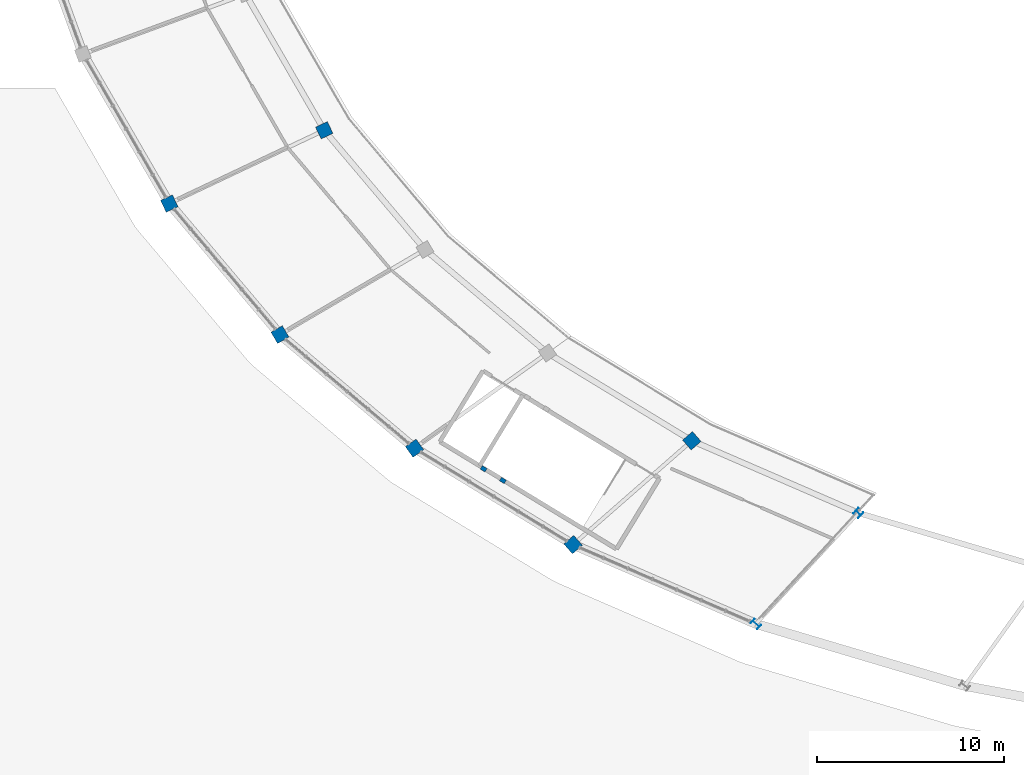
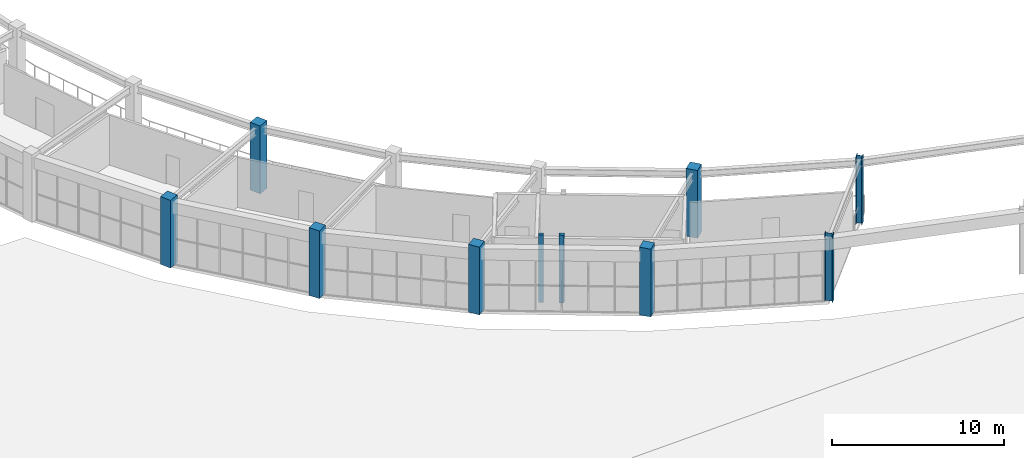
# One storey, part 1 of 45: 10 columns.
"""IFC4 building model written with IfcOpenShell, lengths in metres."""

import ifcopenshell
import ifcopenshell.guid

model = None  # the IFC model being written
_history = None  # IfcOwnerHistory: only IFC2X3 demands one
_inside = {}  # id of a spatial element -> (the spatial element, [elements in it])
_under = {}  # id of a project, library or spatial element -> (it, [spatial elements below it])
_declared = {}  # id of a project -> (the project, [libraries it declares])
_typed = {}  # id of a type object -> (the type object, [elements of that type])
_made_of = {}  # id of a material, layer set ... -> (it, [elements and type objects made of it])


def new_model(schema):
    """Start an empty IFC model of exactly this schema.

    Asked for "IFC4X3", IfcOpenShell would pick the latest addendum, in which some entities
    have other attributes; the version numbers below select the first issue.
    IFC2X3 requires an IfcOwnerHistory on every rooted entity: one is made here for all.
    """
    global model, _history
    if schema == "IFC4X3":
        model = ifcopenshell.file(schema_version=(4, 3, 0, 0))
    else:
        model = ifcopenshell.file(schema=schema)
    _inside.clear()
    _under.clear()
    _declared.clear()
    _typed.clear()
    _made_of.clear()
    _history = None
    if model.schema == "IFC2X3":
        org = make("IfcOrganization", Name="unknown")
        user = make(
            "IfcPersonAndOrganization",
            ThePerson=make("IfcPerson", FamilyName="unknown"),
            TheOrganization=org,
        )
        app = make(
            "IfcApplication",
            ApplicationDeveloper=org,
            Version="unknown",
            ApplicationFullName="unknown",
            ApplicationIdentifier="unknown",
        )
        _history = make(
            "IfcOwnerHistory",
            OwningUser=user,
            OwningApplication=app,
            ChangeAction="ADDED",
            CreationDate=0,
        )
    return model


def make(cls, **values):
    """One entity of the class cls with the attributes given. An attribute that is None is left unset."""
    return model.create_entity(
        cls, **{name: value for name, value in values.items() if value is not None}
    )


def rooted(cls, **values):
    """An entity with a GlobalId (a new one), such as an element, a storey or a relation."""
    return make(cls, GlobalId=ifcopenshell.guid.new(), OwnerHistory=_history, **values)


def si_unit(unit_type, name, prefix=None):
    """IfcSIUnit, for example si_unit("LENGTHUNIT", "METRE", prefix="MILLI")."""
    return make("IfcSIUnit", UnitType=unit_type, Prefix=prefix, Name=name)


def assignment(units):
    """IfcUnitAssignment: the units of a project."""
    return None if units is None else make("IfcUnitAssignment", Units=units)


def point(xyz):
    """IfcCartesianPoint."""
    return None if xyz is None else make("IfcCartesianPoint", Coordinates=xyz)


def direction(xyz):
    """IfcDirection."""
    return None if xyz is None else make("IfcDirection", DirectionRatios=xyz)


def frame(location, z_axis=None, x_axis=None):
    """IfcAxis2Placement3D, a coordinate frame: its origin and axes. An axis left out is left unset."""
    return make(
        "IfcAxis2Placement3D",
        Location=point(location),
        Axis=direction(z_axis),
        RefDirection=direction(x_axis),
    )


def frame_2d(location, x_axis=None):
    """IfcAxis2Placement2D, a coordinate frame in the plane: its origin and x axis."""
    return make(
        "IfcAxis2Placement2D", Location=point(location), RefDirection=direction(x_axis)
    )


def origin():
    """The frame at (0, 0, 0) with its axes left unset."""
    return frame((0.0, 0.0, 0.0))


def origin_2d():
    """The frame at (0, 0) in the plane with its x axis left unset."""
    return frame_2d((0.0, 0.0))


def place(relative_to, where):
    """IfcLocalPlacement: puts the frame where relative to a parent placement (None: the world)."""
    return make(
        "IfcLocalPlacement", PlacementRelTo=relative_to, RelativePlacement=where
    )


def context(
    kind, dimensions, precision=None, world=None, true_north=None, identifier=None
):
    """IfcGeometricRepresentationContext, for example the 3D "Model" context."""
    return make(
        "IfcGeometricRepresentationContext",
        ContextIdentifier=identifier,
        ContextType=kind,
        CoordinateSpaceDimension=dimensions,
        Precision=precision,
        WorldCoordinateSystem=world,
        TrueNorth=true_north,
    )


def subcontext(parent, identifier, kind, view, scale=None):
    """IfcGeometricRepresentationSubContext, for example "Body" below "Model"."""
    return make(
        "IfcGeometricRepresentationSubContext",
        ContextIdentifier=identifier,
        ContextType=kind,
        ParentContext=parent,
        TargetScale=scale,
        TargetView=view,
    )


def project(units=None, contexts=None):
    """IfcProject with its units and contexts."""
    return rooted(
        "IfcProject",
        Name="project",
        RepresentationContexts=contexts,
        UnitsInContext=assignment(units),
    )


def spatial(cls, under=None, at=None, **own):
    """A site, building, storey or space (cls), placed at a placement, below another one or the project."""
    s = rooted(cls, ObjectPlacement=at, **own)
    if under is not None:
        _under.setdefault(under.id(), (under, []))[1].append(s)
    return s


def profile(cls, at=None, kind="AREA", **sizes):
    """A parametric profile (cls). Its sizes go by their IFC names, for example OverallWidth=200.0."""
    return make(cls, ProfileType=kind, Position=at, **sizes)


def rectangle(**sizes):
    """IfcRectangleProfileDef."""
    return profile("IfcRectangleProfileDef", **sizes)


def i_section(**sizes):
    """IfcIShapeProfileDef."""
    return profile("IfcIShapeProfileDef", **sizes)


def extrude(swept, where, along, depth):
    """IfcExtrudedAreaSolid: the profile swept, set in the frame where, extruded along a direction by depth."""
    return make(
        "IfcExtrudedAreaSolid",
        SweptArea=swept,
        Position=where,
        ExtrudedDirection=direction(along),
        Depth=depth,
    )


def shape(context_of_items, identifier, shape_type, items):
    """IfcShapeRepresentation: the items that make up one representation, for example the "Body"."""
    return make(
        "IfcShapeRepresentation",
        ContextOfItems=context_of_items,
        RepresentationIdentifier=identifier,
        RepresentationType=shape_type,
        Items=items,
    )


def material(Name=None, Category=None):
    """IfcMaterial."""
    return make("IfcMaterial", Name=Name, Category=Category)


def material_profile(
    of_material, cross_section, Name=None, Category=None, Priority=None
):
    """IfcMaterialProfile: a cross section and its material."""
    return make(
        "IfcMaterialProfile",
        Name=Name,
        Material=of_material,
        Profile=cross_section,
        Priority=Priority,
        Category=Category,
    )


def profile_set(profiles, Name=None, composite=None):
    """IfcMaterialProfileSet."""
    return make(
        "IfcMaterialProfileSet",
        Name=Name,
        MaterialProfiles=profiles,
        CompositeProfile=composite,
    )


def made_of(thing, what):
    """Note that an element or type object is made of a material, layer set ...; save() writes the relation."""
    if what is not None:
        _made_of.setdefault(what.id(), (what, []))[1].append(thing)
    return thing


def type_object(cls, material=None, **own):
    """A type object (cls), such as IfcWallType, which elements share."""
    return made_of(rooted(cls, **own), material)


def element(
    cls,
    number,
    at=None,
    inside=None,
    cuts=None,
    type_object=None,
    material=None,
    context=None,
    identifier="Body",
    shape_type=None,
    held_by="IfcProductDefinitionShape",
    body=None,
    shapes=None,
    **own,
):
    """One element of the class cls, such as IfcWall. Its Tag is "e" and its number.

    at: its placement. inside: the storey or other place that contains it. cuts: it is an
    opening in that element (IfcRelVoidsElement). A single representation is given by context,
    identifier, shape_type and body (its items); several are given by shapes. held_by: the class
    of the entity that holds the representations. save() writes the other relations.
    """
    e = rooted(cls, Tag="e%d" % number, ObjectPlacement=at, **own)
    if body is not None:
        shapes = [shape(context, identifier, shape_type, body)]
    if shapes is not None:
        e.Representation = make(held_by, Representations=shapes)
    if inside is not None:
        _inside.setdefault(inside.id(), (inside, []))[1].append(e)
    if cuts is not None:
        rooted(
            "IfcRelVoidsElement", RelatingBuildingElement=cuts, RelatedOpeningElement=e
        )
    if type_object is not None:
        _typed.setdefault(type_object.id(), (type_object, []))[1].append(e)
    return made_of(e, material)


def aggregate(whole, parts):
    """IfcRelAggregates: a whole, such as a stair, and the parts it consists of."""
    return rooted("IfcRelAggregates", RelatingObject=whole, RelatedObjects=parts)


def save(model, path):
    """Write the relations noted so far, then the file.

    IfcRelAggregates (storeys below a building ...), IfcRelContainedInSpatialStructure (elements
    in a storey), IfcRelDefinesByType, IfcRelAssociatesMaterial and IfcRelDeclares: one each for
    every whole, place, type object, material and project.
    """
    for whole, parts in _under.values():
        aggregate(whole, parts)
    for where, things in _inside.values():
        rooted(
            "IfcRelContainedInSpatialStructure",
            RelatedElements=things,
            RelatingStructure=where,
        )
    for kind, things in _typed.values():
        rooted("IfcRelDefinesByType", RelatedObjects=things, RelatingType=kind)
    for what, things in _made_of.values():
        rooted("IfcRelAssociatesMaterial", RelatedObjects=things, RelatingMaterial=what)
    for by, libraries in _declared.values():
        rooted("IfcRelDeclares", RelatingContext=by, RelatedDefinitions=libraries)
    model.write(path)


model = new_model("IFC4")

# Units and contexts
model_context = context("Model", 3, precision=1e-05, world=origin(), true_north=direction((0.0, 1.0)))
body_context = subcontext(model_context, "Body", "Model", "MODEL_VIEW")
ifc_project = project(units=[si_unit("LENGTHUNIT", "METRE"), si_unit("AREAUNIT", "SQUARE_METRE"), si_unit("VOLUMEUNIT", "CUBIC_METRE"), si_unit("PLANEANGLEUNIT", "RADIAN"), si_unit("MASSUNIT", "GRAM", prefix="KILO")], contexts=[model_context])

# Site, building, storey
site_placement = place(None, origin())
site = spatial("IfcSite", under=ifc_project, at=site_placement, CompositionType="ELEMENT")
building_placement = place(site_placement, origin())
building = spatial("IfcBuilding", under=site, at=building_placement, Name="Mphavela Belvedere Stadium", CompositionType="ELEMENT")
storey_placement = place(building_placement, frame((0.0, 0.0, 24.0)))
storey = spatial("IfcBuildingStorey", under=building, at=storey_placement, Name="L05", CompositionType="ELEMENT", Elevation=24.0)

# Columns
ifc_material_1 = material(Name="Concrete C40/50", Category="concrete")
ifc_material_profile_1 = material_profile(ifc_material_1, rectangle(XDim=0.300048828125, YDim=0.219970703125, at=origin_2d()), Name="RC 300x220")
ifc_profile_set_1 = profile_set([ifc_material_profile_1], Name="Concrete C40/50")
column_type_1 = type_object("IfcColumnType", Name="COL-CORE-POST-300", PredefinedType="COLUMN", material=ifc_profile_set_1)
for number, where, z_axis, x_axis, name in (
    (1, (39.531005859375, 29.18603515625, 0.0), (0.0, 0.0, 1.0), (-0.854368143929, 0.519668235165, 0.0), "Core C10 stair frame column L05-3"),
    (2, (40.55615234375, 28.5625, 0.0), (0.0, 0.0, 1.0), (-0.854368143929, 0.519668235165, 0.0), "Core C10 stair frame column L05-4"),
):
    element("IfcColumn", number, at=place(storey_placement, frame(where, z_axis=z_axis, x_axis=x_axis)), inside=storey, type_object=column_type_1, Name=name, PredefinedType="COLUMN", context=body_context, shape_type="SweptSolid", body=[
        extrude(rectangle(XDim=0.300048828125, YDim=0.219970703125, at=origin_2d()), origin(), (0.0, 0.0, 1.0), 4.800048828125),
    ])
ifc_material_2 = material(Name="Concrete C40/50", Category="concrete")
ifc_material_profile_2 = material_profile(ifc_material_2, rectangle(XDim=0.699951171875, YDim=0.699951171875, at=origin_2d()), Name="RC 700x700")
ifc_profile_set_2 = profile_set([ifc_material_profile_2], Name="Concrete C40/50")
column_type_2 = type_object("IfcColumnType", Name="COL-RC700", PredefinedType="COLUMN", material=ifc_profile_set_2)
for number, where, z_axis, x_axis, name in (
    (3, (31.0244140625, 47.251708984375, 0.0), (0.0, 0.0, 1.0), (-0.903858661687, -0.4278311813, 0.0), "Main bowl column L05 R3-29"),
    (4, (22.757568359375, 43.33837890625, 0.0), (0.0, 0.0, 1.0), (-0.903858661687, -0.4278311813, 0.0), "Outer colonnade column L05 R4-29"),
    (5, (28.66162109375, 36.346435546875, 0.0), (0.0, 0.0, 1.0), (-0.862513669207, -0.506033764121, 0.0), "Outer colonnade column L05 R4-30"),
    (6, (35.844482421875, 30.285400390625, 0.0), (0.0, 0.0, 1.0), (-0.812897512265, -0.582406760395, 0.0), "Outer colonnade column L05 R4-31"),
    (7, (50.639892578125, 30.68310546875, 0.0), (0.0, 0.0, 1.0), (-0.752529860433, -0.658558128912, 0.0), "Main bowl column L05 R3-32"),
    (8, (44.3037109375, 25.13916015625, 0.0), (0.0, 0.0, 1.0), (-0.752529860433, -0.658558128912, 0.0), "Outer colonnade column L05 R4-32"),
):
    element("IfcColumn", number, at=place(storey_placement, frame(where, z_axis=z_axis, x_axis=x_axis)), inside=storey, type_object=column_type_2, Name=name, PredefinedType="COLUMN", context=body_context, shape_type="SweptSolid", body=[
        extrude(rectangle(XDim=0.699951171875, YDim=0.699951171875, at=origin_2d()), origin(), (0.0, 0.0, 1.0), 4.800048828125),
    ])
ifc_material_3 = material(Name="Steel S355", Category="steel")
ifc_material_profile_3 = material_profile(ifc_material_3, i_section(OverallWidth=0.39501953125, OverallDepth=0.3798828125, WebThickness=0.0166015625, FlangeThickness=0.02587890625, at=origin_2d()), Name="HD 400x237")
ifc_profile_set_3 = profile_set([ifc_material_profile_3], Name="Steel S355")
column_type_3 = type_object("IfcColumnType", Name="COL-STEEL-HD400", PredefinedType="COLUMN", material=ifc_profile_set_3)
column_1_placement = place(storey_placement, frame((59.523681640625, 26.83203125, 0.0), z_axis=(0.0, 0.0, 1.0), x_axis=(-0.677903094969, -0.735151272753, 0.0)))
element("IfcColumn", 9, at=column_1_placement, inside=storey, type_object=column_type_3, Name="Main bowl column L05 R3-33", PredefinedType="COLUMN", context=body_context, shape_type="SweptSolid", body=[
    extrude(i_section(OverallWidth=0.39501953125, OverallDepth=0.3798828125, WebThickness=0.0166015625, FlangeThickness=0.02587890625, at=origin_2d()), origin(), (0.0, 0.0, 1.0), 4.800048828125),
])
ifc_material_4 = material(Name="Steel S355", Category="steel")
ifc_material_profile_4 = material_profile(ifc_material_4, i_section(OverallWidth=0.300048828125, OverallDepth=0.5, WebThickness=0.014404296875, FlangeThickness=0.028076171875, at=origin_2d()), Name="HEB 500")
ifc_profile_set_4 = profile_set([ifc_material_profile_4], Name="Steel S355")
column_type_4 = type_object("IfcColumnType", Name="COL-STEEL-HEB500", PredefinedType="COLUMN", material=ifc_profile_set_4)
column_2_placement = place(storey_placement, frame((54.0625, 20.90869140625, 0.0), z_axis=(0.0, 0.0, 1.0), x_axis=(-0.677903094969, -0.735151272753, 0.0)))
element("IfcColumn", 10, at=column_2_placement, inside=storey, type_object=column_type_4, Name="Outer colonnade column L05 R4-33", PredefinedType="COLUMN", context=body_context, shape_type="SweptSolid", body=[
    extrude(i_section(OverallWidth=0.300048828125, OverallDepth=0.5, WebThickness=0.014404296875, FlangeThickness=0.028076171875, at=origin_2d()), origin(), (0.0, 0.0, 1.0), 4.800048828125),
])

save(model, "model.ifc")
